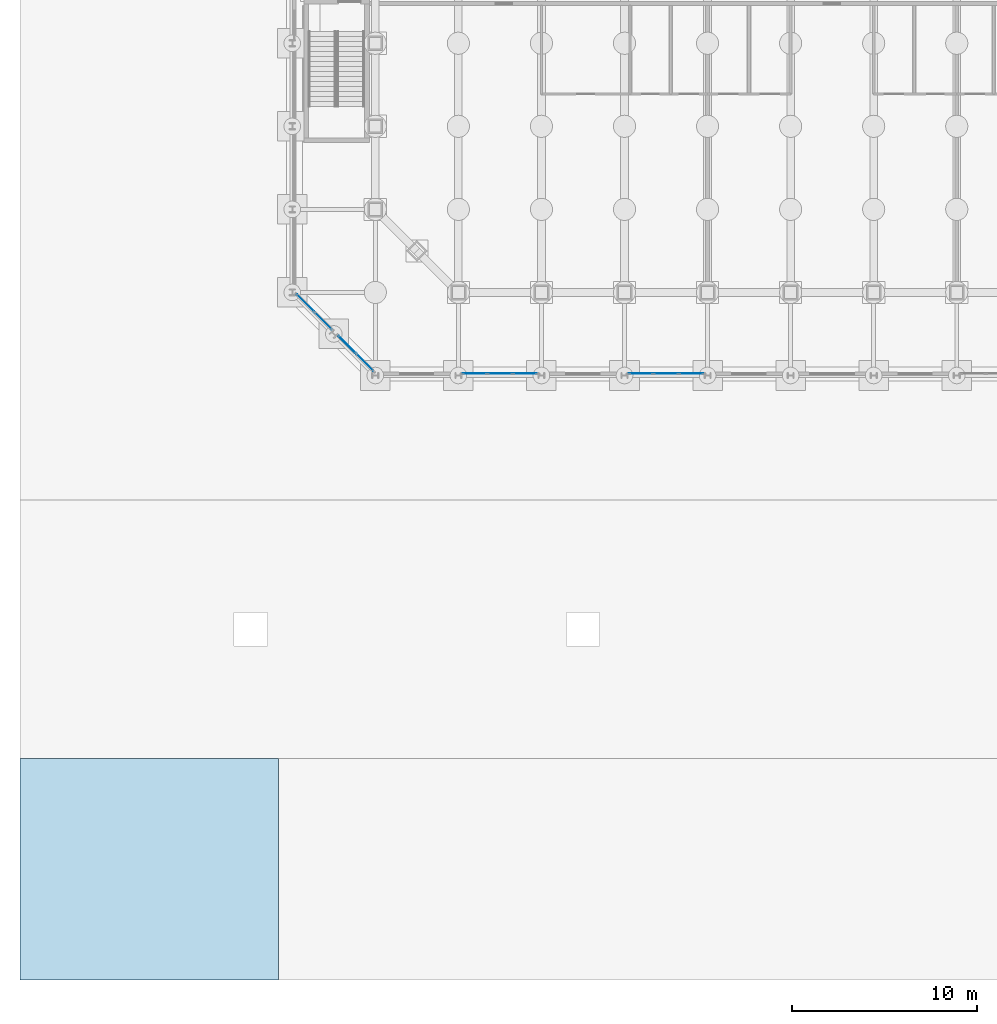
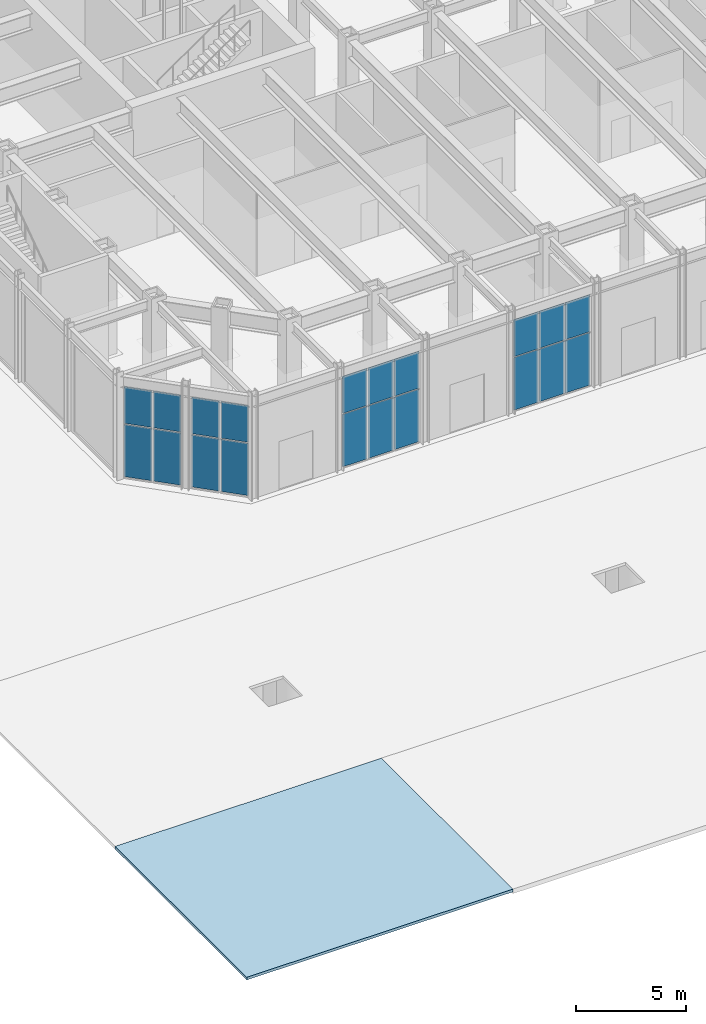
# One storey, part 13 of 39: 20 plates, 1 slab, 4 elements without a shape of their own.
"""IFC4 building model written with IfcOpenShell, lengths in metres."""

from ifc_helpers import new_model, si_unit, direction, frame, origin, origin_2d, place, context, subcontext, project, spatial, polyline, rectangle, outline, extrude, material, layer, layer_set, type_object, element, aggregate, save


model = new_model("IFC4")

# Units and contexts
model_context = context("Model", 3, precision=1e-05, world=origin(), true_north=direction((0.0, 1.0)))
body_context = subcontext(model_context, "Body", "Model", "MODEL_VIEW")
ifc_project = project(units=[si_unit("LENGTHUNIT", "METRE"), si_unit("AREAUNIT", "SQUARE_METRE"), si_unit("VOLUMEUNIT", "CUBIC_METRE"), si_unit("PLANEANGLEUNIT", "RADIAN"), si_unit("MASSUNIT", "GRAM", prefix="KILO")], contexts=[model_context])

# Site, building, storey
site_placement = place(None, origin())
site = spatial("IfcSite", under=ifc_project, at=site_placement, CompositionType="ELEMENT")
building_placement = place(site_placement, origin())
building = spatial("IfcBuilding", under=site, at=building_placement, Name="Msasa Ring Tower", CompositionType="ELEMENT")
storey_placement = place(building_placement, origin())
storey = spatial("IfcBuildingStorey", under=building, at=storey_placement, Name="L00", CompositionType="ELEMENT", Elevation=0.0)

# Curtain wall, plates
ifc_material_1 = material(Name="Aluminium curtain wall with clear glass", Category="aluminium")
curtain_wall_type_1 = type_object("IfcCurtainWallType", Name="CW-F PLAZA SHOPFRONT CURTAIN WALL", PredefinedType="NOTDEFINED", material=ifc_material_1)
curtain_wall_1_placement = place(storey_placement, origin())
curtain_wall_1 = element("IfcCurtainWall", 1, at=curtain_wall_1_placement, inside=storey, type_object=curtain_wall_type_1, Name="Plaza shopfront curtain wall S L00 01", PredefinedType="NOTDEFINED")
ifc_material_2 = material(Name="Clear laminated insulating glass unit", Category="glass")
ifc_layer_1 = layer(ifc_material_2, 0.030029296875)
ifc_layer_set_1 = layer_set([ifc_layer_1], Name="CW-F GLASS PANEL 30")
plate_type_1 = type_object("IfcPlateType", Name="CW-F GLASS PANEL 30", PredefinedType="CURTAIN_PANEL", material=ifc_layer_set_1)
plate_1_placement = place(storey_placement, frame((-19.361083984375, -29.14990234375, 0.054931640625), z_axis=(0.0, 0.0, 1.0), x_axis=(1.0, 0.0, 0.0)))
plate_1 = element("IfcPlate", 2, at=plate_1_placement, type_object=plate_type_1, Name="CW-F panel 1.1", PredefinedType="CURTAIN_PANEL", context=body_context, shape_type="SweptSolid", body=[
    extrude(rectangle(XDim=1.29248046875, YDim=0.030029296875, at=origin_2d()), origin(), (0.0, 0.0, 1.0), 2.91748046875),
])
plate_2_placement = place(storey_placement, frame((-19.361083984375, -29.14990234375, 3.027587890625), z_axis=(0.0, 0.0, 1.0), x_axis=(1.0, 0.0, 0.0)))
plate_2 = element("IfcPlate", 3, at=plate_2_placement, type_object=plate_type_1, Name="CW-F panel 1.2", PredefinedType="CURTAIN_PANEL", context=body_context, shape_type="SweptSolid", body=[
    extrude(rectangle(XDim=1.29248046875, YDim=0.030029296875, at=origin_2d()), origin(), (0.0, 0.0, 1.0), 2.05029296875),
])
plate_3_placement = place(storey_placement, frame((-18.0, -29.14990234375, 0.054931640625), z_axis=(0.0, 0.0, 1.0), x_axis=(1.0, 0.0, 0.0)))
plate_3 = element("IfcPlate", 4, at=plate_3_placement, type_object=plate_type_1, Name="CW-F panel 2.1", PredefinedType="CURTAIN_PANEL", context=body_context, shape_type="SweptSolid", body=[
    extrude(rectangle(XDim=1.31982421875, YDim=0.030029296875, at=origin_2d()), origin(), (0.0, 0.0, 1.0), 2.91748046875),
])
plate_4_placement = place(storey_placement, frame((-18.0, -29.14990234375, 3.027587890625), z_axis=(0.0, 0.0, 1.0), x_axis=(1.0, 0.0, 0.0)))
plate_4 = element("IfcPlate", 5, at=plate_4_placement, type_object=plate_type_1, Name="CW-F panel 2.2", PredefinedType="CURTAIN_PANEL", context=body_context, shape_type="SweptSolid", body=[
    extrude(rectangle(XDim=1.31982421875, YDim=0.030029296875, at=origin_2d()), origin(), (0.0, 0.0, 1.0), 2.05029296875),
])
plate_5_placement = place(storey_placement, frame((-16.638916015625, -29.14990234375, 0.054931640625), z_axis=(0.0, 0.0, 1.0), x_axis=(1.0, 0.0, 0.0)))
plate_5 = element("IfcPlate", 6, at=plate_5_placement, type_object=plate_type_1, Name="CW-F panel 3.1", PredefinedType="CURTAIN_PANEL", context=body_context, shape_type="SweptSolid", body=[
    extrude(rectangle(XDim=1.29248046875, YDim=0.030029296875, at=origin_2d()), origin(), (0.0, 0.0, 1.0), 2.91748046875),
])
plate_6_placement = place(storey_placement, frame((-16.638916015625, -29.14990234375, 3.027587890625), z_axis=(0.0, 0.0, 1.0), x_axis=(1.0, 0.0, 0.0)))
plate_6 = element("IfcPlate", 7, at=plate_6_placement, type_object=plate_type_1, Name="CW-F panel 3.2", PredefinedType="CURTAIN_PANEL", context=body_context, shape_type="SweptSolid", body=[
    extrude(rectangle(XDim=1.29248046875, YDim=0.030029296875, at=origin_2d()), origin(), (0.0, 0.0, 1.0), 2.05029296875),
])
aggregate(curtain_wall_1, [plate_1, plate_2, plate_3, plate_4, plate_5, plate_6])

curtain_wall_2_placement = place(storey_placement, origin())
curtain_wall_2 = element("IfcCurtainWall", 8, at=curtain_wall_2_placement, inside=storey, type_object=curtain_wall_type_1, Name="Plaza shopfront curtain wall S L00 03", PredefinedType="NOTDEFINED")
plate_7_placement = place(storey_placement, frame((-10.361083984375, -29.14990234375, 0.054931640625), z_axis=(0.0, 0.0, 1.0), x_axis=(1.0, 0.0, 0.0)))
plate_7 = element("IfcPlate", 9, at=plate_7_placement, type_object=plate_type_1, Name="CW-F panel 1.1", PredefinedType="CURTAIN_PANEL", context=body_context, shape_type="SweptSolid", body=[
    extrude(rectangle(XDim=1.29248046875, YDim=0.030029296875, at=origin_2d()), origin(), (0.0, 0.0, 1.0), 2.91748046875),
])
plate_8_placement = place(storey_placement, frame((-10.361083984375, -29.14990234375, 3.027587890625), z_axis=(0.0, 0.0, 1.0), x_axis=(1.0, 0.0, 0.0)))
plate_8 = element("IfcPlate", 10, at=plate_8_placement, type_object=plate_type_1, Name="CW-F panel 1.2", PredefinedType="CURTAIN_PANEL", context=body_context, shape_type="SweptSolid", body=[
    extrude(rectangle(XDim=1.29248046875, YDim=0.030029296875, at=origin_2d()), origin(), (0.0, 0.0, 1.0), 2.05029296875),
])
plate_9_placement = place(storey_placement, frame((-9.0, -29.14990234375, 0.054931640625), z_axis=(0.0, 0.0, 1.0), x_axis=(1.0, 0.0, 0.0)))
plate_9 = element("IfcPlate", 11, at=plate_9_placement, type_object=plate_type_1, Name="CW-F panel 2.1", PredefinedType="CURTAIN_PANEL", context=body_context, shape_type="SweptSolid", body=[
    extrude(rectangle(XDim=1.31982421875, YDim=0.030029296875, at=origin_2d()), origin(), (0.0, 0.0, 1.0), 2.91748046875),
])
plate_10_placement = place(storey_placement, frame((-9.0, -29.14990234375, 3.027587890625), z_axis=(0.0, 0.0, 1.0), x_axis=(1.0, 0.0, 0.0)))
plate_10 = element("IfcPlate", 12, at=plate_10_placement, type_object=plate_type_1, Name="CW-F panel 2.2", PredefinedType="CURTAIN_PANEL", context=body_context, shape_type="SweptSolid", body=[
    extrude(rectangle(XDim=1.31982421875, YDim=0.030029296875, at=origin_2d()), origin(), (0.0, 0.0, 1.0), 2.05029296875),
])
plate_11_placement = place(storey_placement, frame((-7.638916015625, -29.14990234375, 0.054931640625), z_axis=(0.0, 0.0, 1.0), x_axis=(1.0, 0.0, 0.0)))
plate_11 = element("IfcPlate", 13, at=plate_11_placement, type_object=plate_type_1, Name="CW-F panel 3.1", PredefinedType="CURTAIN_PANEL", context=body_context, shape_type="SweptSolid", body=[
    extrude(rectangle(XDim=1.29248046875, YDim=0.030029296875, at=origin_2d()), origin(), (0.0, 0.0, 1.0), 2.91748046875),
])
plate_12_placement = place(storey_placement, frame((-7.638916015625, -29.14990234375, 3.027587890625), z_axis=(0.0, 0.0, 1.0), x_axis=(1.0, 0.0, 0.0)))
plate_12 = element("IfcPlate", 14, at=plate_12_placement, type_object=plate_type_1, Name="CW-F panel 3.2", PredefinedType="CURTAIN_PANEL", context=body_context, shape_type="SweptSolid", body=[
    extrude(rectangle(XDim=1.29248046875, YDim=0.030029296875, at=origin_2d()), origin(), (0.0, 0.0, 1.0), 2.05029296875),
])
aggregate(curtain_wall_2, [plate_7, plate_8, plate_9, plate_10, plate_11, plate_12])

ifc_material_3 = material(Name="Aluminium curtain wall with clear glass", Category="aluminium")
curtain_wall_type_2 = type_object("IfcCurtainWallType", Name="CW-K PODIUM CORNER CURTAIN WALL", PredefinedType="NOTDEFINED", material=ifc_material_3)
curtain_wall_3_placement = place(storey_placement, origin())
curtain_wall_3 = element("IfcCurtainWall", 15, at=curtain_wall_3_placement, inside=storey, type_object=curtain_wall_type_2, Name="Podium corner curtain wall SW L00", PredefinedType="NOTDEFINED")
ifc_material_4 = material(Name="Clear laminated insulating glass unit", Category="glass")
ifc_layer_2 = layer(ifc_material_4, 0.031982421875)
ifc_layer_set_2 = layer_set([ifc_layer_2], Name="CW-K GLASS PANEL 32")
plate_type_2 = type_object("IfcPlateType", Name="CW-K GLASS PANEL 32", PredefinedType="CURTAIN_PANEL", material=ifc_layer_set_2)
plate_13_placement = place(storey_placement, frame((-28.5380859375, -25.320556640625, 0.070068359375), z_axis=(0.0, 0.0, 1.0), x_axis=(0.707106781187, -0.707106781187, 0.0)))
plate_13 = element("IfcPlate", 16, at=plate_13_placement, type_object=plate_type_2, Name="CW-K panel 1.1", PredefinedType="CURTAIN_PANEL", context=body_context, shape_type="SweptSolid", body=[
    extrude(rectangle(XDim=1.29833984375, YDim=0.031982421875, at=origin_2d()), origin(), (0.0, 0.0, 1.0), 2.89501953125),
])
plate_14_placement = place(storey_placement, frame((-28.5380859375, -25.320556640625, 3.034912109375), z_axis=(0.0, 0.0, 1.0), x_axis=(0.707106781187, -0.707106781187, 0.0)))
plate_14 = element("IfcPlate", 17, at=plate_14_placement, type_object=plate_type_2, Name="CW-K panel 1.2", PredefinedType="CURTAIN_PANEL", context=body_context, shape_type="SweptSolid", body=[
    extrude(rectangle(XDim=1.29833984375, YDim=0.031982421875, at=origin_2d()), origin(), (0.0, 0.0, 1.0), 2.02783203125),
])
plate_15_placement = place(storey_placement, frame((-27.570556640625, -26.2880859375, 0.070068359375), z_axis=(0.0, 0.0, 1.0), x_axis=(0.707106781187, -0.707106781187, 0.0)))
plate_15 = element("IfcPlate", 18, at=plate_15_placement, type_object=plate_type_2, Name="CW-K panel 2.1", PredefinedType="CURTAIN_PANEL", context=body_context, shape_type="SweptSolid", body=[
    extrude(rectangle(XDim=1.29833984375, YDim=0.031982421875, at=origin_2d()), origin(), (0.0, 0.0, 1.0), 2.89501953125),
])
plate_16_placement = place(storey_placement, frame((-27.570556640625, -26.2880859375, 3.034912109375), z_axis=(0.0, 0.0, 1.0), x_axis=(0.707106781187, -0.707106781187, 0.0)))
plate_16 = element("IfcPlate", 19, at=plate_16_placement, type_object=plate_type_2, Name="CW-K panel 2.2", PredefinedType="CURTAIN_PANEL", context=body_context, shape_type="SweptSolid", body=[
    extrude(rectangle(XDim=1.29833984375, YDim=0.031982421875, at=origin_2d()), origin(), (0.0, 0.0, 1.0), 2.02783203125),
])
aggregate(curtain_wall_3, [plate_13, plate_14, plate_15, plate_16])

curtain_wall_4_placement = place(storey_placement, origin())
curtain_wall_4 = element("IfcCurtainWall", 20, at=curtain_wall_4_placement, inside=storey, type_object=curtain_wall_type_2, Name="Podium corner curtain wall SW L00", PredefinedType="NOTDEFINED")
plate_17_placement = place(storey_placement, frame((-26.2880859375, -27.570556640625, 0.070068359375), z_axis=(0.0, 0.0, 1.0), x_axis=(0.707106781187, -0.707106781187, 0.0)))
plate_17 = element("IfcPlate", 21, at=plate_17_placement, type_object=plate_type_2, Name="CW-K panel 1.1", PredefinedType="CURTAIN_PANEL", context=body_context, shape_type="SweptSolid", body=[
    extrude(rectangle(XDim=1.29833984375, YDim=0.031982421875, at=origin_2d()), origin(), (0.0, 0.0, 1.0), 2.89501953125),
])
plate_18_placement = place(storey_placement, frame((-26.2880859375, -27.570556640625, 3.034912109375), z_axis=(0.0, 0.0, 1.0), x_axis=(0.707106781187, -0.707106781187, 0.0)))
plate_18 = element("IfcPlate", 22, at=plate_18_placement, type_object=plate_type_2, Name="CW-K panel 1.2", PredefinedType="CURTAIN_PANEL", context=body_context, shape_type="SweptSolid", body=[
    extrude(rectangle(XDim=1.29833984375, YDim=0.031982421875, at=origin_2d()), origin(), (0.0, 0.0, 1.0), 2.02783203125),
])
plate_19_placement = place(storey_placement, frame((-25.320556640625, -28.5380859375, 0.070068359375), z_axis=(0.0, 0.0, 1.0), x_axis=(0.707106781187, -0.707106781187, 0.0)))
plate_19 = element("IfcPlate", 23, at=plate_19_placement, type_object=plate_type_2, Name="CW-K panel 2.1", PredefinedType="CURTAIN_PANEL", context=body_context, shape_type="SweptSolid", body=[
    extrude(rectangle(XDim=1.29833984375, YDim=0.031982421875, at=origin_2d()), origin(), (0.0, 0.0, 1.0), 2.89501953125),
])
plate_20_placement = place(storey_placement, frame((-25.320556640625, -28.5380859375, 3.034912109375), z_axis=(0.0, 0.0, 1.0), x_axis=(0.707106781187, -0.707106781187, 0.0)))
plate_20 = element("IfcPlate", 24, at=plate_20_placement, type_object=plate_type_2, Name="CW-K panel 2.2", PredefinedType="CURTAIN_PANEL", context=body_context, shape_type="SweptSolid", body=[
    extrude(rectangle(XDim=1.29833984375, YDim=0.031982421875, at=origin_2d()), origin(), (0.0, 0.0, 1.0), 2.02783203125),
])
aggregate(curtain_wall_4, [plate_17, plate_18, plate_19, plate_20])

# Slab
ifc_material_5 = material(Name="Granite paving on a concrete base", Category="masonry")
ifc_layer_3 = layer(ifc_material_5, 0.14990234375)
ifc_layer_set_3 = layer_set([ifc_layer_3], Name="PV1 PLAZA PAVING 150")
slab_type = type_object("IfcSlabType", Name="PV1 PLAZA PAVING 150", PredefinedType="USERDEFINED", material=ifc_layer_set_3)
slab_placement = place(storey_placement, frame((0.0, 0.0, -0.14990234375)))
element("IfcSlab", 25, at=slab_placement, inside=storey, type_object=slab_type, Name="Street footway paving W", ObjectType="PAVING", PredefinedType="USERDEFINED", context=body_context, shape_type="SweptSolid", body=[
    extrude(outline(polyline([(-44.0, -62.0), (-30.0, -62.0), (-30.0, -50.0), (-44.0, -50.0), (-44.0, -62.0)])), origin(), (0.0, 0.0, 1.0), 0.14990234375),
])

save(model, "model.ifc")
